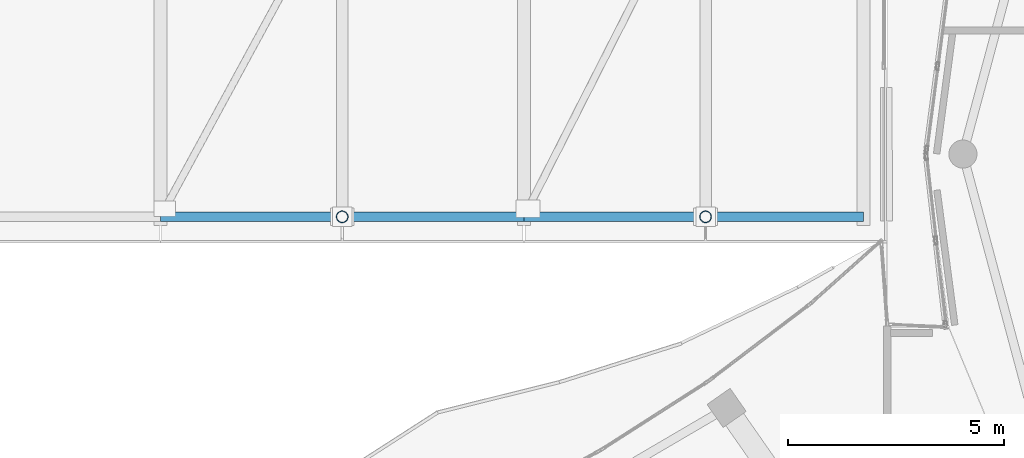
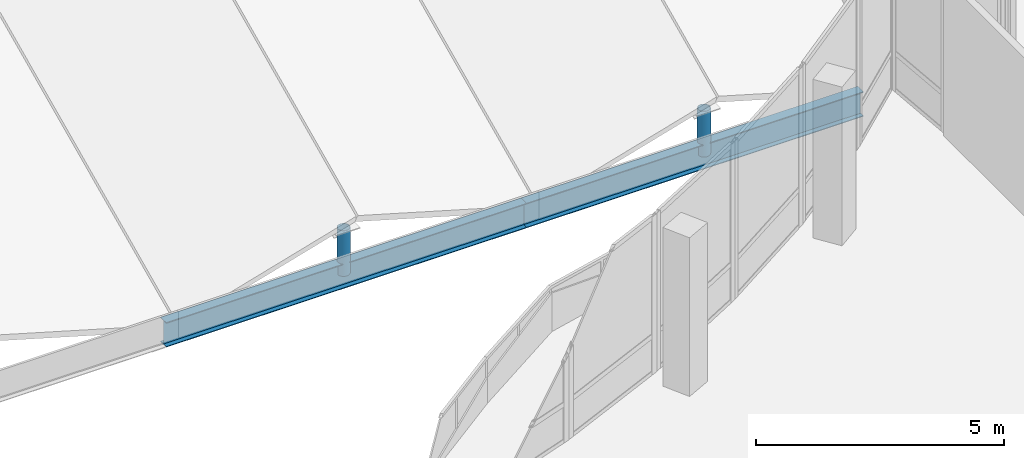
# One storey, part 43 of 184: 2 beams, 2 members.
"""IFC4 building model written with IfcOpenShell, lengths in metres."""

from ifc_helpers import new_model, si_unit, direction, frame, origin, origin_2d, place, context, subcontext, project, spatial, hollow_circle, i_section, extrude, material, material_profile, profile_set, type_object, element, save


model = new_model("IFC4")

# Units and contexts
model_context = context("Model", 3, precision=1e-05, world=origin(), true_north=direction((0.0, 1.0)))
body_context = subcontext(model_context, "Body", "Model", "MODEL_VIEW")
ifc_project = project(units=[si_unit("LENGTHUNIT", "METRE"), si_unit("AREAUNIT", "SQUARE_METRE"), si_unit("VOLUMEUNIT", "CUBIC_METRE"), si_unit("PLANEANGLEUNIT", "RADIAN"), si_unit("MASSUNIT", "GRAM", prefix="KILO")], contexts=[model_context])

# Site, building, storey
site_placement = place(None, origin())
site = spatial("IfcSite", under=ifc_project, at=site_placement, CompositionType="ELEMENT")
building_placement = place(site_placement, origin())
building = spatial("IfcBuilding", under=site, at=building_placement, Name="Selatvlak General Hospital", CompositionType="ELEMENT")
storey_placement = place(building_placement, frame((0.0, 0.0, 15.0)))
storey = spatial("IfcBuildingStorey", under=building, at=storey_placement, Name="L03", CompositionType="ELEMENT", Elevation=15.0)

# Beams
ifc_material = material(Name="Steel S355", Category="steel")
ifc_material_profile_1 = material_profile(ifc_material, i_section(OverallWidth=0.228271484375, OverallDepth=0.607666015625, WebThickness=0.010986328125, FlangeThickness=0.017333984375, at=origin_2d()), Name="UB 610x229x113")
ifc_profile_set_1 = profile_set([ifc_material_profile_1], Name="Steel S355")
beam_type = type_object("IfcBeamType", Name="BM-RF4", PredefinedType="BEAM", material=ifc_profile_set_1)
beam_1_placement = place(storey_placement, frame((64.800048828125, 52.550048828125, -0.529052734375), z_axis=(1.0, 0.0, 0.0), x_axis=(0.0, 1.0, 0.0)))
element("IfcBeam", 1, at=beam_1_placement, inside=storey, type_object=beam_type, Name="Folded roof S valley girder 6", PredefinedType="BEAM", context=body_context, shape_type="SweptSolid", body=[
    extrude(i_section(OverallWidth=0.228271484375, OverallDepth=0.607666015625, WebThickness=0.010986328125, FlangeThickness=0.017333984375, at=origin_2d()), origin(), (0.0, 0.0, 1.0), 8.39990234375),
])
beam_2_placement = place(storey_placement, frame((73.199951171875, 52.550048828125, -0.529052734375), z_axis=(1.0, 0.0, 0.0), x_axis=(0.0, 1.0, 0.0)))
element("IfcBeam", 2, at=beam_2_placement, inside=storey, type_object=beam_type, Name="Folded roof S valley girder 7", PredefinedType="BEAM", context=body_context, shape_type="SweptSolid", body=[
    extrude(i_section(OverallWidth=0.228271484375, OverallDepth=0.607666015625, WebThickness=0.010986328125, FlangeThickness=0.017333984375, at=origin_2d()), origin(), (0.0, 0.0, 1.0), 7.85009765625),
])

# Members
ifc_material_profile_2 = material_profile(ifc_material, hollow_circle(Radius=0.136474609375, WallThickness=0.010009765625, at=origin_2d()), Name="CHS 273.0x10")
ifc_profile_set_2 = profile_set([ifc_material_profile_2], Name="Steel S355")
member_type = type_object("IfcMemberType", Name="MEM-ST1", PredefinedType="STRUT", material=ifc_profile_set_2)
for number, where, z_axis, x_axis, name in (
    (3, (69.0, 52.550048828125, -0.529052734375), (0.0, 0.0, 1.0), (1.0, 0.0, 0.0), "Folded roof ridge kingpost S-11"),
    (4, (77.39990234375, 52.550048828125, -0.529052734375), (0.0, 0.0, 1.0), (1.0, 0.0, 0.0), "Folded roof ridge kingpost S-13"),
):
    element("IfcMember", number, at=place(storey_placement, frame(where, z_axis=z_axis, x_axis=x_axis)), inside=storey, type_object=member_type, Name=name, PredefinedType="STRUT", context=body_context, shape_type="SweptSolid", body=[
        extrude(hollow_circle(Radius=0.136474609375, WallThickness=0.010009765625, at=origin_2d()), origin(), (0.0, 0.0, 1.0), 1.123046875),
    ])

save(model, "model.ifc")
